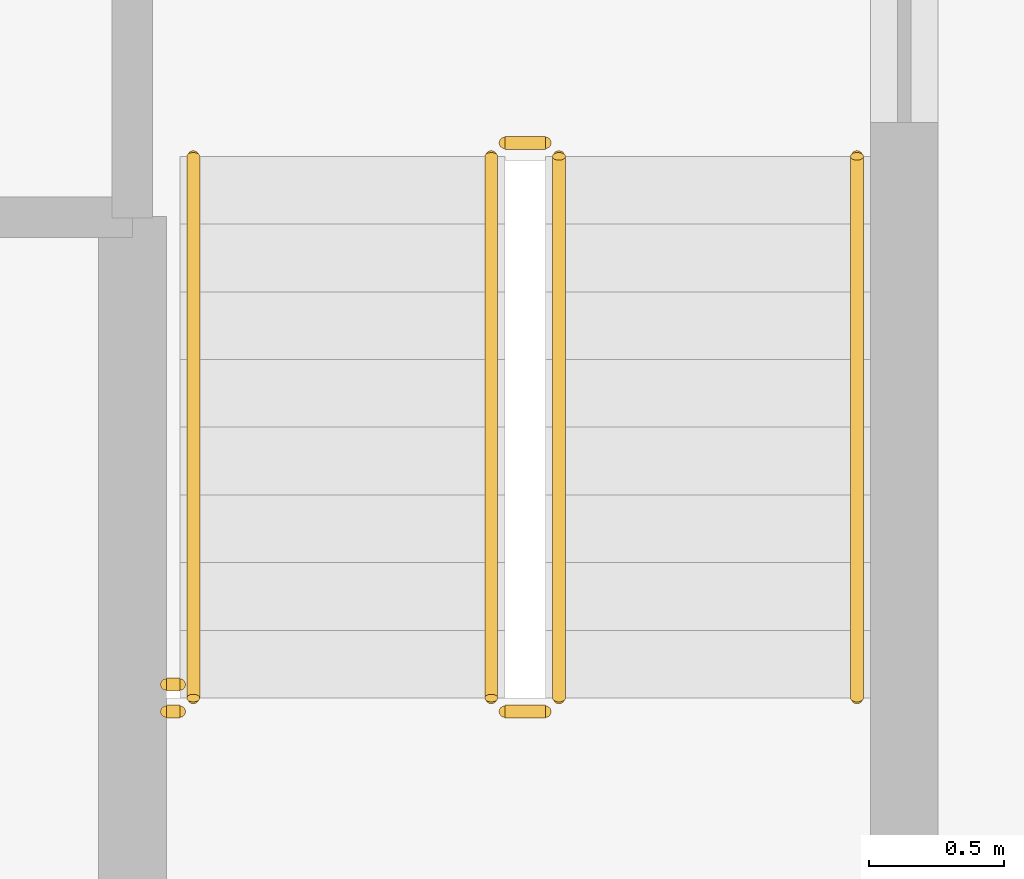
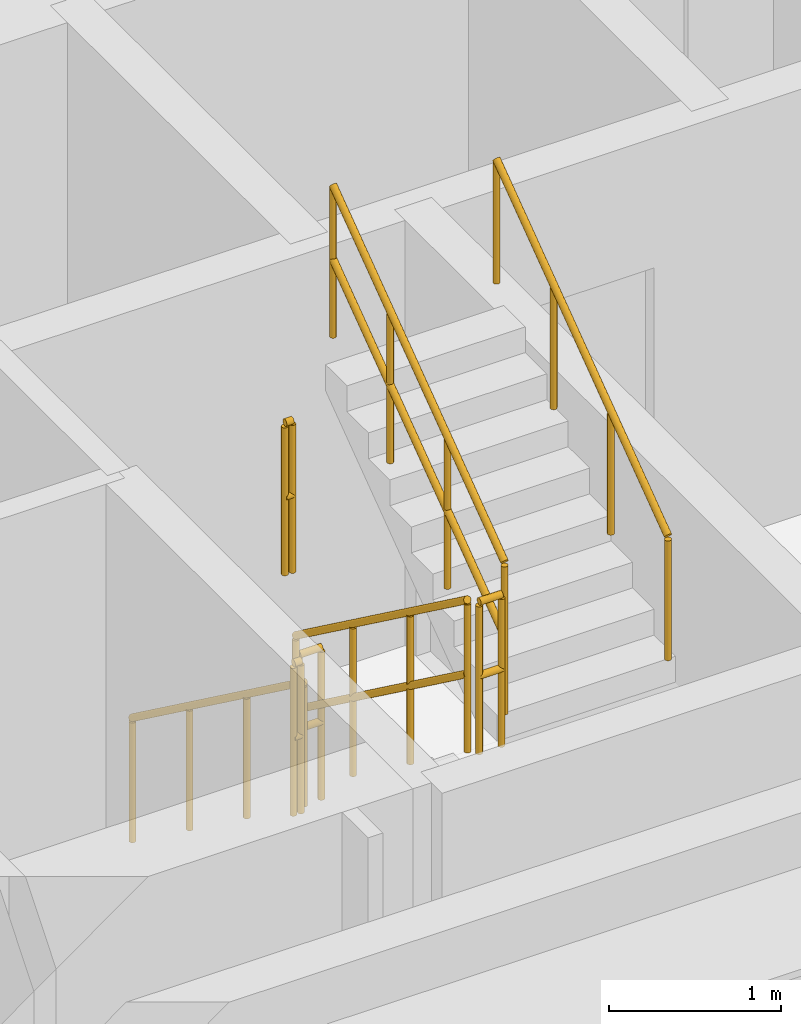
# One storey, part 14 of 16: 8 railings.
"""IFC4 building model written with IfcOpenShell, lengths in metres."""

from ifc_helpers import new_model, si_unit, direction, frame, origin, origin_2d, place, context, subcontext, project, spatial, circle, extrude, material, type_object, element, save


model = new_model("IFC4")

# Units and contexts
model_context = context("Model", 3, precision=1e-05, world=origin(), true_north=direction((0.0, 1.0)))
body_context = subcontext(model_context, "Body", "Model", "MODEL_VIEW")
ifc_project = project(units=[si_unit("LENGTHUNIT", "METRE"), si_unit("AREAUNIT", "SQUARE_METRE"), si_unit("VOLUMEUNIT", "CUBIC_METRE"), si_unit("PLANEANGLEUNIT", "RADIAN"), si_unit("MASSUNIT", "GRAM", prefix="KILO")], contexts=[model_context])

# Site, building, storey
site_placement = place(None, origin())
site = spatial("IfcSite", under=ifc_project, at=site_placement, CompositionType="ELEMENT")
building_placement = place(site_placement, origin())
building = spatial("IfcBuilding", under=site, at=building_placement, Name="Nakaniwa Court", CompositionType="ELEMENT")
storey_placement = place(building_placement, frame((0.0, 0.0, 199.800048828125)))
storey = spatial("IfcBuildingStorey", under=building, at=storey_placement, Name="L52", CompositionType="ELEMENT", Elevation=199.800048828125)

# Railings
ifc_material_1 = material(Name="Black powder coated steel guard", Category="steel")
railing_type_1 = type_object("IfcRailingType", Name="Stair guard 1100", PredefinedType="GUARDRAIL", material=ifc_material_1)
railing_1_placement = place(storey_placement, frame((81.875, 61.824951171875, 0.183349609375)))
element("IfcRailing", 1, at=railing_1_placement, inside=storey, type_object=railing_type_1, Name="L52 ST4 stair guard 1", PredefinedType="GUARDRAIL", context=body_context, shape_type="SweptSolid", body=[
    extrude(circle(Radius=0.02392578125, at=origin_2d()), frame((0.0, 0.0, 1.076171875), z_axis=(0.0, -0.806426902644, 0.591333789573), x_axis=(1.0, 0.0, 0.0)), (0.0, 0.0, 1.0), 2.47998046875),
    extrude(circle(Radius=0.02392578125, at=origin_2d()), frame((0.0, 0.0, 0.550048828125), z_axis=(0.0, -0.806426902644, 0.591333789573), x_axis=(1.0, 0.0, 0.0)), (0.0, 0.0, 1.0), 2.47998046875),
    extrude(circle(Radius=0.02099609375, at=origin_2d()), origin(), (0.0, 0.0, 1.0), 1.052001953125),
    extrude(circle(Radius=0.02099609375, at=origin_2d()), frame((0.0, -0.666748046875, 0.48876953125)), (0.0, 0.0, 1.0), 1.052001953125),
    extrude(circle(Radius=0.02099609375, at=origin_2d()), frame((0.0, -1.333251953125, 0.977783203125)), (0.0, 0.0, 1.0), 1.052001953125),
    extrude(circle(Radius=0.02099609375, at=origin_2d()), frame((0.0, -2.0, 1.466552734375)), (0.0, 0.0, 1.0), 1.052001953125),
])
railing_2_placement = place(storey_placement, frame((81.925048828125, 59.77490234375, 1.64990234375)))
element("IfcRailing", 2, at=railing_2_placement, inside=storey, type_object=railing_type_1, Name="L52 ST4 stair guard 2", PredefinedType="GUARDRAIL", context=body_context, shape_type="SweptSolid", body=[
    extrude(circle(Radius=0.02392578125, at=origin_2d()), frame((0.0, 0.0, 1.076171875), z_axis=(1.0, 0.0, 0.0), x_axis=(0.0, 1.0, 0.0)), (0.0, 0.0, 1.0), 0.14990234375),
    extrude(circle(Radius=0.02392578125, at=origin_2d()), frame((0.0, 0.0, 0.550048828125), z_axis=(1.0, 0.0, 0.0), x_axis=(0.0, 1.0, 0.0)), (0.0, 0.0, 1.0), 0.14990234375),
    extrude(circle(Radius=0.02099609375, at=origin_2d()), origin(), (0.0, 0.0, 1.0), 1.052001953125),
    extrude(circle(Radius=0.02099609375, at=origin_2d()), frame((0.14990234375, 0.0, 0.0)), (0.0, 0.0, 1.0), 1.052001953125),
])
railing_3_placement = place(storey_placement, frame((82.125, 59.824951171875, 1.833251953125)))
element("IfcRailing", 3, at=railing_3_placement, inside=storey, type_object=railing_type_1, Name="L52 ST4 stair guard 3", PredefinedType="GUARDRAIL", context=body_context, shape_type="SweptSolid", body=[
    extrude(circle(Radius=0.02392578125, at=origin_2d()), frame((0.0, 0.0, 1.076171875), z_axis=(0.0, 0.806379959628, 0.591397802423), x_axis=(-1.0, 0.0, 0.0)), (0.0, 0.0, 1.0), 2.480224609375),
    extrude(circle(Radius=0.02392578125, at=origin_2d()), frame((0.0, 0.0, 0.550048828125), z_axis=(0.0, 0.806379959628, 0.591397802423), x_axis=(-1.0, 0.0, 0.0)), (0.0, 0.0, 1.0), 2.480224609375),
    extrude(circle(Radius=0.02099609375, at=origin_2d()), origin(), (0.0, 0.0, 1.0), 1.052001953125),
    extrude(circle(Radius=0.02099609375, at=origin_2d()), frame((0.0, 0.666748046875, 0.489013671875)), (0.0, 0.0, 1.0), 1.052001953125),
    extrude(circle(Radius=0.02099609375, at=origin_2d()), frame((0.0, 1.333251953125, 0.977783203125)), (0.0, 0.0, 1.0), 1.052001953125),
    extrude(circle(Radius=0.02099609375, at=origin_2d()), frame((0.0, 2.0, 1.466796875)), (0.0, 0.0, 1.0), 1.052001953125),
])
railing_4_placement = place(storey_placement, frame((81.925048828125, 61.875, 0.0)))
element("IfcRailing", 4, at=railing_4_placement, inside=storey, type_object=railing_type_1, Name="L52 ST4 stair guard 4", PredefinedType="GUARDRAIL", context=body_context, shape_type="SweptSolid", body=[
    extrude(circle(Radius=0.02392578125, at=origin_2d()), frame((0.0, 0.0, 1.076171875), z_axis=(1.0, 0.0, 0.0), x_axis=(0.0, 1.0, 0.0)), (0.0, 0.0, 1.0), 0.14990234375),
    extrude(circle(Radius=0.02392578125, at=origin_2d()), frame((0.0, 0.0, 0.550048828125), z_axis=(1.0, 0.0, 0.0), x_axis=(0.0, 1.0, 0.0)), (0.0, 0.0, 1.0), 0.14990234375),
    extrude(circle(Radius=0.02099609375, at=origin_2d()), origin(), (0.0, 0.0, 1.0), 1.052001953125),
    extrude(circle(Radius=0.02099609375, at=origin_2d()), frame((0.14990234375, 0.0, 0.0)), (0.0, 0.0, 1.0), 1.052001953125),
])
for number, where, name in (
    (5, (80.675048828125, 59.77490234375, 1.64990234375), "L52 ST4 landing side guard 1W"),
    (6, (80.675048828125, 59.875, 3.300048828125), "L52 ST4 floor edge guard 1W"),
):
    element("IfcRailing", number, at=place(storey_placement, frame(where)), inside=storey, type_object=railing_type_1, Name=name, PredefinedType="GUARDRAIL", context=body_context, shape_type="SweptSolid", body=[
        extrude(circle(Radius=0.02392578125, at=origin_2d()), frame((0.0, 0.0, 1.076171875), z_axis=(1.0, 0.0, 0.0), x_axis=(0.0, 1.0, 0.0)), (0.0, 0.0, 1.0), 0.050048828125),
        extrude(circle(Radius=0.02392578125, at=origin_2d()), frame((0.0, 0.0, 0.550048828125), z_axis=(1.0, 0.0, 0.0), x_axis=(0.0, 1.0, 0.0)), (0.0, 0.0, 1.0), 0.050048828125),
        extrude(circle(Radius=0.02099609375, at=origin_2d()), origin(), (0.0, 0.0, 1.0), 1.052001953125),
        extrude(circle(Radius=0.02099609375, at=origin_2d()), frame((0.050048828125, 0.0, 0.0)), (0.0, 0.0, 1.0), 1.052001953125),
    ])
ifc_material_2 = material(Name="Black powder coated steel handrail", Category="steel")
railing_type_2 = type_object("IfcRailingType", Name="Stair handrail 900", PredefinedType="HANDRAIL", material=ifc_material_2)
railing_5_placement = place(storey_placement, frame((80.77490234375, 61.824951171875, 0.183349609375)))
element("IfcRailing", 7, at=railing_5_placement, inside=storey, type_object=railing_type_2, Name="L52 ST4 stair handrail 1", PredefinedType="HANDRAIL", context=body_context, shape_type="SweptSolid", body=[
    extrude(circle(Radius=0.02392578125, at=origin_2d()), frame((0.0, 0.0, 0.8759765625), z_axis=(0.0, -0.806426902644, 0.591333789573), x_axis=(1.0, 0.0, 0.0)), (0.0, 0.0, 1.0), 2.47998046875),
    extrude(circle(Radius=0.02099609375, at=origin_2d()), origin(), (0.0, 0.0, 1.0), 0.851806640625),
    extrude(circle(Radius=0.02099609375, at=origin_2d()), frame((0.0, -0.666748046875, 0.48876953125)), (0.0, 0.0, 1.0), 0.851806640625),
    extrude(circle(Radius=0.02099609375, at=origin_2d()), frame((0.0, -1.333251953125, 0.977783203125)), (0.0, 0.0, 1.0), 0.851806640625),
    extrude(circle(Radius=0.02099609375, at=origin_2d()), frame((0.0, -2.0, 1.466552734375)), (0.0, 0.0, 1.0), 0.851806640625),
])
railing_6_placement = place(storey_placement, frame((83.22509765625, 59.824951171875, 1.833251953125)))
element("IfcRailing", 8, at=railing_6_placement, inside=storey, type_object=railing_type_2, Name="L52 ST4 stair handrail 2", PredefinedType="HANDRAIL", context=body_context, shape_type="SweptSolid", body=[
    extrude(circle(Radius=0.02392578125, at=origin_2d()), frame((0.0, 0.0, 0.8759765625), z_axis=(0.0, 0.806379959628, 0.591397802423), x_axis=(-1.0, 0.0, 0.0)), (0.0, 0.0, 1.0), 2.480224609375),
    extrude(circle(Radius=0.02099609375, at=origin_2d()), origin(), (0.0, 0.0, 1.0), 0.851806640625),
    extrude(circle(Radius=0.02099609375, at=origin_2d()), frame((0.0, 0.666748046875, 0.489013671875)), (0.0, 0.0, 1.0), 0.851806640625),
    extrude(circle(Radius=0.02099609375, at=origin_2d()), frame((0.0, 1.333251953125, 0.977783203125)), (0.0, 0.0, 1.0), 0.851806640625),
    extrude(circle(Radius=0.02099609375, at=origin_2d()), frame((0.0, 2.0, 1.466796875)), (0.0, 0.0, 1.0), 0.851806640625),
])

save(model, "model.ifc")
